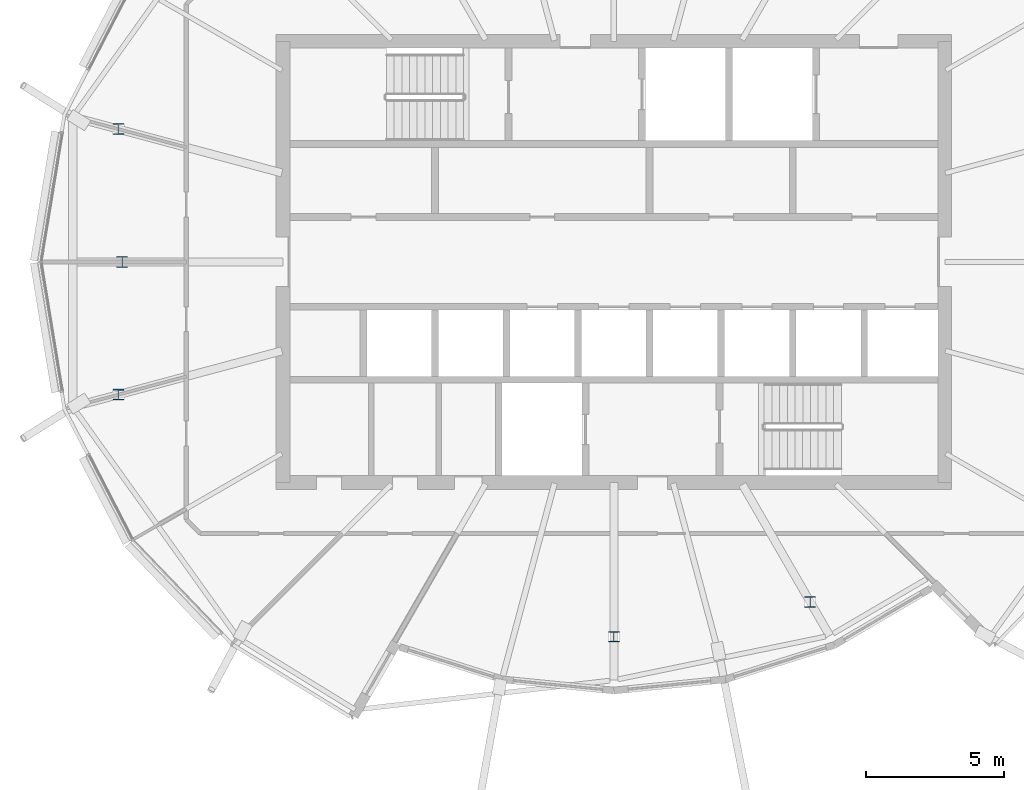
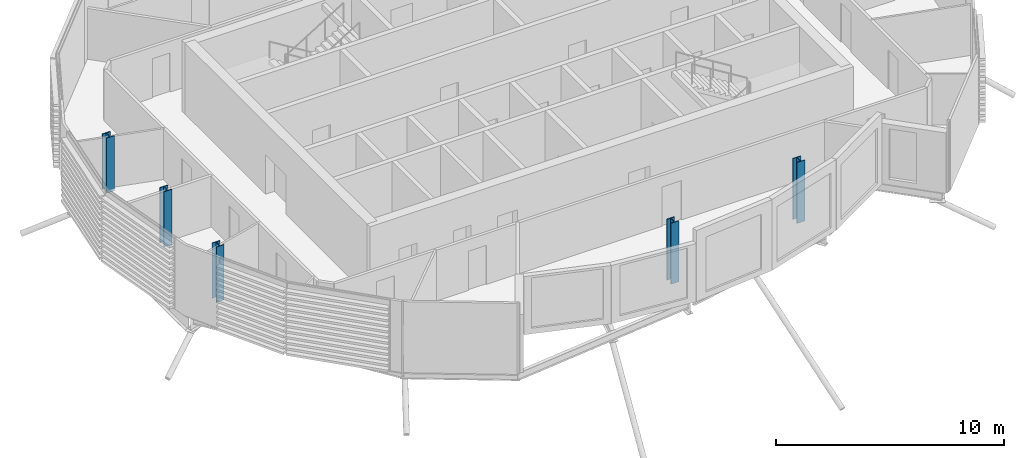
# One storey, part 1 of 35: 5 columns.
"""IFC4 building model written with IfcOpenShell, lengths in metres."""

from ifc_helpers import new_model, si_unit, direction, frame, origin, origin_2d, place, context, subcontext, project, spatial, i_section, extrude, material, material_profile, profile_set, type_object, element, save


model = new_model("IFC4")

# Units and contexts
model_context = context("Model", 3, precision=1e-05, world=origin(), true_north=direction((0.0, 1.0)))
body_context = subcontext(model_context, "Body", "Model", "MODEL_VIEW")
ifc_project = project(units=[si_unit("LENGTHUNIT", "METRE"), si_unit("AREAUNIT", "SQUARE_METRE"), si_unit("VOLUMEUNIT", "CUBIC_METRE"), si_unit("PLANEANGLEUNIT", "RADIAN"), si_unit("MASSUNIT", "GRAM", prefix="KILO")], contexts=[model_context])

# Site, building, storey
site_placement = place(None, origin())
site = spatial("IfcSite", under=ifc_project, at=site_placement, CompositionType="ELEMENT")
building_placement = place(site_placement, origin())
building = spatial("IfcBuilding", under=site, at=building_placement, Name="Rimbun Link Towers", CompositionType="ELEMENT")
storey_placement = place(building_placement, frame((0.0, 0.0, 225.699951171875)))
storey = spatial("IfcBuildingStorey", under=building, at=storey_placement, Name="L55", CompositionType="ELEMENT", Elevation=225.699951171875)

# Columns
ifc_material = material(Name="Steel S355J2", Category="steel")
ifc_material_profile = material_profile(ifc_material, i_section(OverallWidth=0.39892578125, OverallDepth=0.3935546875, WebThickness=0.022705078125, FlangeThickness=0.03662109375, at=origin_2d()), Name="UC 356x406x287")
ifc_profile_set = profile_set([ifc_material_profile], Name="Steel S355J2")
column_type = type_object("IfcColumnType", Name="UC 356x406x287", PredefinedType="COLUMN", material=ifc_profile_set)
for number, where, z_axis, x_axis, name in (
    (1, (-49.718505859375, 4.814697265625, -0.139892578125), (0.0, 0.0, 1.0), (1.0, 0.0, 0.0), "Crease post T1 L55 11"),
    (2, (-49.583251953125, 0.0, -0.139892578125), (0.0, 0.0, 1.0), (1.0, 0.0, 0.0), "Crease post T1 L55 12"),
    (3, (-49.718505859375, -4.814697265625, -0.139892578125), (0.0, 0.0, 1.0), (1.0, 0.0, 0.0), "Crease post T1 L55 13"),
):
    element("IfcColumn", number, at=place(storey_placement, frame(where, z_axis=z_axis, x_axis=x_axis)), inside=storey, type_object=column_type, Name=name, PredefinedType="COLUMN", context=body_context, shape_type="SweptSolid", body=[
        extrude(i_section(OverallWidth=0.39892578125, OverallDepth=0.3935546875, WebThickness=0.022705078125, FlangeThickness=0.03662109375, at=origin_2d()), origin(), (0.0, 0.0, 1.0), 2.959228515625),
    ])
for number, where, z_axis, x_axis, name in (
    (4, (-31.75, -13.595458984375, -0.139892578125), (0.0, 0.0, 1.0), (1.0, 0.0, 0.0), "Crease post T1 L55 18"),
    (5, (-24.629150390625, -12.333740234375, -0.139892578125), (0.0, 0.0, 1.0), (1.0, 0.0, 0.0), "Crease post T1 L55 20"),
):
    element("IfcColumn", number, at=place(storey_placement, frame(where, z_axis=z_axis, x_axis=x_axis)), inside=storey, type_object=column_type, Name=name, PredefinedType="COLUMN", context=body_context, shape_type="SweptSolid", body=[
        extrude(i_section(OverallWidth=0.39892578125, OverallDepth=0.3935546875, WebThickness=0.022705078125, FlangeThickness=0.03662109375, at=origin_2d()), origin(), (0.0, 0.0, 1.0), 3.266845703125),
    ])

save(model, "model.ifc")
